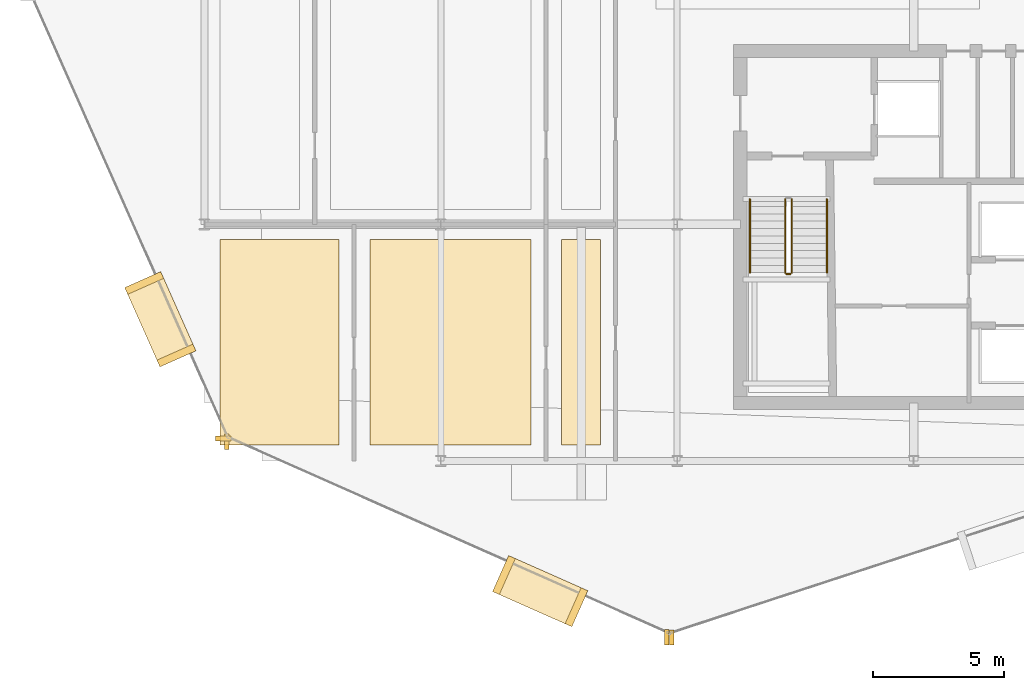
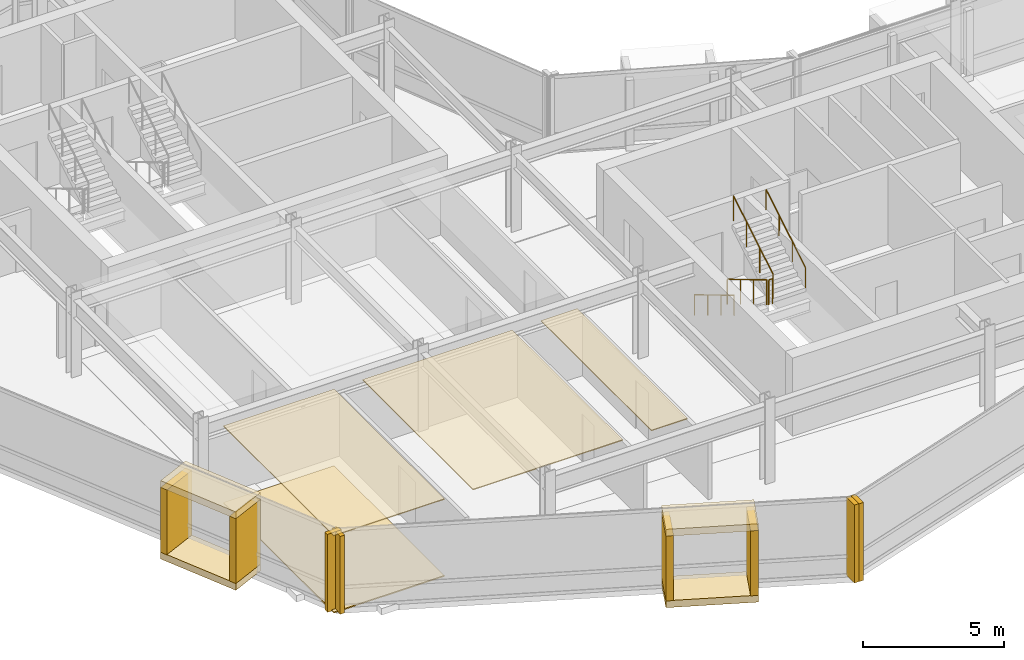
# One storey, part 22 of 27: 16 coverings, 5 railings.
"""IFC4 building model written with IfcOpenShell, lengths in metres."""

from ifc_helpers import new_model, si_unit, direction, frame, origin, origin_2d, place, context, subcontext, project, spatial, polyline, rectangle, circle, outline, extrude, material, layer, layer_set, type_object, element, save


model = new_model("IFC4")

# Units and contexts
model_context = context("Model", 3, precision=1e-05, world=origin(), true_north=direction((0.0, 1.0)))
body_context = subcontext(model_context, "Body", "Model", "MODEL_VIEW")
ifc_project = project(units=[si_unit("LENGTHUNIT", "METRE"), si_unit("AREAUNIT", "SQUARE_METRE"), si_unit("VOLUMEUNIT", "CUBIC_METRE"), si_unit("PLANEANGLEUNIT", "RADIAN"), si_unit("MASSUNIT", "GRAM", prefix="KILO")], contexts=[model_context])

# Site, building, storey
site_placement = place(None, origin())
site = spatial("IfcSite", under=ifc_project, at=site_placement, CompositionType="ELEMENT")
building_placement = place(site_placement, origin())
building = spatial("IfcBuilding", under=site, at=building_placement, Name="Solvaryn Broadcast Tower", CompositionType="ELEMENT")
storey_placement = place(building_placement, frame((0.0, 0.0, 192.699951171875)))
storey = spatial("IfcBuildingStorey", under=building, at=storey_placement, Name="L48", CompositionType="ELEMENT", Elevation=192.699951171875)

# Coverings
ifc_material_1 = material(Name="Micro-Perforated Acoustic Gypsum Ceiling", Category="concrete")
ifc_layer_1 = layer(ifc_material_1, 0.0400390625)
ifc_layer_set_1 = layer_set([ifc_layer_1], Name="CV-CEIL-ACOUSTIC")
covering_type_1 = type_object("IfcCoveringType", Name="CV-CEIL-ACOUSTIC", PredefinedType="CEILING", material=ifc_layer_set_1)
covering_1_placement = place(storey_placement, frame((0.0, 0.0, 3.330078125)))
element("IfcCovering", 1, at=covering_1_placement, inside=storey, type_object=covering_type_1, Name="L48 Room Acoustic Ceiling 4", PredefinedType="CEILING", context=body_context, shape_type="SweptSolid", body=[
    extrude(outline(polyline([(9.60009765625, 9.60009765625), (14.1298828125, 9.60009765625), (14.1298828125, 17.429931640625), (9.60009765625, 17.429931640625), (9.60009765625, 9.60009765625)])), origin(), (0.0, 0.0, 1.0), 0.0400390625),
])
covering_2_placement = place(storey_placement, frame((0.0, 0.0, 3.330078125)))
element("IfcCovering", 2, at=covering_2_placement, inside=storey, type_object=covering_type_1, Name="L48 Room Acoustic Ceiling 5", PredefinedType="CEILING", context=body_context, shape_type="SweptSolid", body=[
    extrude(outline(polyline([(15.300048828125, 9.60009765625), (21.429931640625, 9.60009765625), (21.429931640625, 17.429931640625), (15.300048828125, 17.429931640625), (15.300048828125, 9.60009765625)])), origin(), (0.0, 0.0, 1.0), 0.0400390625),
])
covering_3_placement = place(storey_placement, frame((0.0, 0.0, 3.330078125)))
element("IfcCovering", 3, at=covering_3_placement, inside=storey, type_object=covering_type_1, Name="L48 Room Acoustic Ceiling 6", PredefinedType="CEILING", context=body_context, shape_type="SweptSolid", body=[
    extrude(outline(polyline([(22.60009765625, 9.60009765625), (24.080078125, 9.60009765625), (24.080078125, 17.429931640625), (22.60009765625, 17.429931640625), (22.60009765625, 9.60009765625)])), origin(), (0.0, 0.0, 1.0), 0.0400390625),
])
ifc_material_2 = material(Name="Newsroom Raised Data Access Flooring", Category="steel")
ifc_layer_2 = layer(ifc_material_2, 0.050048828125)
ifc_layer_set_2 = layer_set([ifc_layer_2], Name="CV-FLOOR-RAISED")
covering_type_2 = type_object("IfcCoveringType", Name="CV-FLOOR-RAISED", PredefinedType="FLOORING", material=ifc_layer_set_2)
covering_4_placement = place(storey_placement, origin())
element("IfcCovering", 4, at=covering_4_placement, inside=storey, type_object=covering_type_2, Name="L48 Room Acoustic Floor Finish 4", PredefinedType="FLOORING", context=body_context, shape_type="SweptSolid", body=[
    extrude(outline(polyline([(9.60009765625, 9.60009765625), (14.1298828125, 9.60009765625), (14.1298828125, 17.429931640625), (9.60009765625, 17.429931640625), (9.60009765625, 9.60009765625)])), origin(), (0.0, 0.0, 1.0), 0.050048828125),
])
ifc_material_3 = material(Name="Glazed Architectural Terracotta Rainscreen Cladding", Category="masonry")
ifc_layer_3 = layer(ifc_material_3, 0.280029296875)
ifc_layer_set_3 = layer_set([ifc_layer_3], Name="CV-TC-CLAD")
covering_type_3 = type_object("IfcCoveringType", Name="CV-TC-CLAD", PredefinedType="CLADDING", material=ifc_layer_set_3)
for number, where, z_axis, x_axis, name in (
    (5, (7.322998046875, 14.388916015625, 3.080078125), (0.0, 0.0, 1.0), (0.405939269498, -0.913900054426, 0.0), "L48 Projecting Stone Window Box Hood 2"),
    (6, (7.322998046875, 14.388916015625, -0.009765625), (0.0, 0.0, 1.0), (0.405939269498, -0.913900054426, 0.0), "L48 Projecting Stone Window Box Sill 2"),
):
    element("IfcCovering", number, at=place(storey_placement, frame(where, z_axis=z_axis, x_axis=x_axis)), inside=storey, type_object=covering_type_3, Name=name, PredefinedType="CLADDING", context=body_context, shape_type="SweptSolid", body=[
        extrude(rectangle(XDim=3.300048828125, YDim=1.5, at=origin_2d()), origin(), (0.0, 0.0, 1.0), 0.300048828125),
    ])
for number, where, z_axis, x_axis, name in (
    (7, (6.7099609375, 15.76904296875, 0.280029296875), (0.0, 0.0, 1.0), (0.405939269498, -0.913900054426, 0.0), "L48 Projecting Stone Window Box Cheek 2-1"),
    (8, (7.93603515625, 13.009033203125, 0.280029296875), (0.0, 0.0, 1.0), (0.405939269498, -0.913900054426, 0.0), "L48 Projecting Stone Window Box Cheek 2-2"),
):
    element("IfcCovering", number, at=place(storey_placement, frame(where, z_axis=z_axis, x_axis=x_axis)), inside=storey, type_object=covering_type_3, Name=name, PredefinedType="CLADDING", context=body_context, shape_type="SweptSolid", body=[
        extrude(rectangle(XDim=0.280029296875, YDim=1.5, at=origin_2d()), origin(), (0.0, 0.0, 1.0), 2.81005859375),
    ])
for number, where, z_axis, x_axis, name in (
    (9, (21.784912109375, 4.0390625, 3.080078125), (0.0, 0.0, 1.0), (0.913900054426, -0.405939269498, 0.0), "L48 Projecting Stone Window Box Hood 3"),
    (10, (21.784912109375, 4.0390625, -0.009765625), (0.0, 0.0, 1.0), (0.913900054426, -0.405939269498, 0.0), "L48 Projecting Stone Window Box Sill 3"),
):
    element("IfcCovering", number, at=place(storey_placement, frame(where, z_axis=z_axis, x_axis=x_axis)), inside=storey, type_object=covering_type_3, Name=name, PredefinedType="CLADDING", context=body_context, shape_type="SweptSolid", body=[
        extrude(rectangle(XDim=3.300048828125, YDim=1.5, at=origin_2d()), origin(), (0.0, 0.0, 1.0), 0.300048828125),
    ])
for number, where, z_axis, x_axis, name in (
    (11, (20.405029296875, 4.652099609375, 0.280029296875), (0.0, 0.0, 1.0), (0.913900054426, -0.405939269498, 0.0), "L48 Projecting Stone Window Box Cheek 3-1"),
    (12, (23.1650390625, 3.426025390625, 0.280029296875), (0.0, 0.0, 1.0), (0.913900054426, -0.405939269498, 0.0), "L48 Projecting Stone Window Box Cheek 3-2"),
):
    element("IfcCovering", number, at=place(storey_placement, frame(where, z_axis=z_axis, x_axis=x_axis)), inside=storey, type_object=covering_type_3, Name=name, PredefinedType="CLADDING", context=body_context, shape_type="SweptSolid", body=[
        extrude(rectangle(XDim=0.280029296875, YDim=1.5, at=origin_2d()), origin(), (0.0, 0.0, 1.0), 2.81005859375),
    ])
ifc_material_4 = material(Name="Extruded Architectural Terracotta Fin", Category="masonry")
ifc_layer_4 = layer(ifc_material_4, 0.179931640625)
ifc_layer_set_4 = layer_set([ifc_layer_4], Name="CV-TC-FIN")
covering_type_4 = type_object("IfcCoveringType", Name="CV-TC-FIN", PredefinedType="USERDEFINED", material=ifc_layer_set_4)
covering_5_placement = place(storey_placement, frame((9.7216796875, 9.852783203125, 0.0), z_axis=(0.0, 0.0, 1.0), x_axis=(1.0, 0.0, 0.0)))
element("IfcCovering", 13, at=covering_5_placement, inside=storey, type_object=covering_type_4, Name="L48 Terracotta Vertical Fin FIN-L48-DR2-M01", ObjectType="FIN", PredefinedType="USERDEFINED", context=body_context, shape_type="SweptSolid", body=[
    extrude(rectangle(XDim=0.580078125, YDim=0.179931640625, at=origin_2d()), origin(), (0.0, 0.0, 1.0), 3.3701171875),
])
for number, where, z_axis, x_axis, name in (
    (14, (9.852783203125, 9.7216796875, 0.0), (0.0, 0.0, 1.0), (1.0, 0.0, 0.0), "L48 Terracotta Vertical Fin FIN-L48-DR3-M00"),
    (15, (26.605712890625, 2.281005859375, 0.0), (0.0, 0.0, 1.0), (1.0, 0.0, 0.0), "L48 Terracotta Vertical Fin FIN-L48-DR3-M01"),
    (16, (26.790771484375, 2.271240234375, 0.0), (0.0, 0.0, 1.0), (1.0, 0.0, 0.0), "L48 Terracotta Vertical Fin FIN-L48-DR4-M00"),
):
    element("IfcCovering", number, at=place(storey_placement, frame(where, z_axis=z_axis, x_axis=x_axis)), inside=storey, type_object=covering_type_4, Name=name, ObjectType="FIN", PredefinedType="USERDEFINED", context=body_context, shape_type="SweptSolid", body=[
        extrude(rectangle(XDim=0.179931640625, YDim=0.580078125, at=origin_2d()), origin(), (0.0, 0.0, 1.0), 3.3701171875),
    ])

# Railings
ifc_material_5 = material(Name="Painted Steel Stair Well Guard", Category="steel")
railing_type_1 = type_object("IfcRailingType", Name="RL-STAIR-GUARD", PredefinedType="BALUSTRADE", material=ifc_material_5)
railing_1_placement = place(storey_placement, frame((31.110107421875, 18.9599609375, 0.168212890625)))
element("IfcRailing", 17, at=railing_1_placement, inside=storey, type_object=railing_type_1, Name="L48 ST3 stair guard 1", PredefinedType="BALUSTRADE", context=body_context, shape_type="SweptSolid", body=[
    extrude(circle(Radius=0.02392578125, at=origin_2d()), frame((0.0, 0.0, 1.076171875), z_axis=(0.0, -0.857242210791, 0.514913383045), x_axis=(1.0, 0.0, 0.0)), (0.0, 0.0, 1.0), 3.266357421875),
    extrude(circle(Radius=0.02099609375, at=origin_2d()), origin(), (0.0, 0.0, 1.0), 1.052001953125),
    extrude(circle(Radius=0.02099609375, at=origin_2d()), frame((0.0, -0.933349609375, 0.560546875)), (0.0, 0.0, 1.0), 1.052001953125),
    extrude(circle(Radius=0.02099609375, at=origin_2d()), frame((0.0, -1.86669921875, 1.121337890625)), (0.0, 0.0, 1.0), 1.052001953125),
    extrude(circle(Radius=0.02099609375, at=origin_2d()), frame((0.0, -2.800048828125, 1.681884765625)), (0.0, 0.0, 1.0), 1.052001953125),
])
railing_2_placement = place(storey_placement, frame((31.159912109375, 16.110107421875, 1.85009765625)))
element("IfcRailing", 18, at=railing_2_placement, inside=storey, type_object=railing_type_1, Name="L48 ST3 stair guard 2", PredefinedType="BALUSTRADE", context=body_context, shape_type="SweptSolid", body=[
    extrude(circle(Radius=0.02392578125, at=origin_2d()), frame((0.0, 0.0, 1.076171875), z_axis=(1.0, 0.0, 0.0), x_axis=(0.0, 1.0, 0.0)), (0.0, 0.0, 1.0), 0.150146484375),
    extrude(circle(Radius=0.02099609375, at=origin_2d()), origin(), (0.0, 0.0, 1.0), 1.052001953125),
    extrude(circle(Radius=0.02099609375, at=origin_2d()), frame((0.150146484375, 0.0, 0.0)), (0.0, 0.0, 1.0), 1.052001953125),
])
railing_3_placement = place(storey_placement, frame((31.360107421875, 16.159912109375, 2.018310546875)))
element("IfcRailing", 19, at=railing_3_placement, inside=storey, type_object=railing_type_1, Name="L48 ST3 stair guard 3", PredefinedType="BALUSTRADE", context=body_context, shape_type="SweptSolid", body=[
    extrude(circle(Radius=0.02392578125, at=origin_2d()), frame((0.0, 0.0, 1.076171875), z_axis=(0.0, 0.857275202839, 0.514858452973), x_axis=(-1.0, 0.0, 0.0)), (0.0, 0.0, 1.0), 3.26611328125),
    extrude(circle(Radius=0.02099609375, at=origin_2d()), origin(), (0.0, 0.0, 1.0), 1.052001953125),
    extrude(circle(Radius=0.02099609375, at=origin_2d()), frame((0.0, 0.933349609375, 0.560546875)), (0.0, 0.0, 1.0), 1.052001953125),
    extrude(circle(Radius=0.02099609375, at=origin_2d()), frame((0.0, 1.86669921875, 1.12109375)), (0.0, 0.0, 1.0), 1.052001953125),
    extrude(circle(Radius=0.02099609375, at=origin_2d()), frame((0.0, 2.800048828125, 1.681640625)), (0.0, 0.0, 1.0), 1.052001953125),
])
ifc_material_6 = material(Name="Brushed Stainless Steel Tubular Handrail", Category="steel")
railing_type_2 = type_object("IfcRailingType", Name="RL-STAIR-HANDRAIL", PredefinedType="HANDRAIL", material=ifc_material_6)
railing_4_placement = place(storey_placement, frame((29.77001953125, 18.9599609375, 0.168212890625)))
element("IfcRailing", 20, at=railing_4_placement, inside=storey, type_object=railing_type_2, Name="L48 ST3 stair handrail 1", PredefinedType="HANDRAIL", context=body_context, shape_type="SweptSolid", body=[
    extrude(circle(Radius=0.02392578125, at=origin_2d()), frame((0.0, 0.0, 0.8759765625), z_axis=(0.0, -0.857242210791, 0.514913383045), x_axis=(1.0, 0.0, 0.0)), (0.0, 0.0, 1.0), 3.266357421875),
    extrude(circle(Radius=0.02099609375, at=origin_2d()), origin(), (0.0, 0.0, 1.0), 0.851806640625),
    extrude(circle(Radius=0.02099609375, at=origin_2d()), frame((0.0, -0.933349609375, 0.560546875)), (0.0, 0.0, 1.0), 0.851806640625),
    extrude(circle(Radius=0.02099609375, at=origin_2d()), frame((0.0, -1.86669921875, 1.121337890625)), (0.0, 0.0, 1.0), 0.851806640625),
    extrude(circle(Radius=0.02099609375, at=origin_2d()), frame((0.0, -2.800048828125, 1.681884765625)), (0.0, 0.0, 1.0), 0.851806640625),
])
railing_5_placement = place(storey_placement, frame((32.699951171875, 16.159912109375, 2.018310546875)))
element("IfcRailing", 21, at=railing_5_placement, inside=storey, type_object=railing_type_2, Name="L48 ST3 stair handrail 2", PredefinedType="HANDRAIL", context=body_context, shape_type="SweptSolid", body=[
    extrude(circle(Radius=0.02392578125, at=origin_2d()), frame((0.0, 0.0, 0.8759765625), z_axis=(0.0, 0.857275202839, 0.514858452973), x_axis=(-1.0, 0.0, 0.0)), (0.0, 0.0, 1.0), 3.26611328125),
    extrude(circle(Radius=0.02099609375, at=origin_2d()), origin(), (0.0, 0.0, 1.0), 0.851806640625),
    extrude(circle(Radius=0.02099609375, at=origin_2d()), frame((0.0, 0.933349609375, 0.560546875)), (0.0, 0.0, 1.0), 0.851806640625),
    extrude(circle(Radius=0.02099609375, at=origin_2d()), frame((0.0, 1.86669921875, 1.12109375)), (0.0, 0.0, 1.0), 0.851806640625),
    extrude(circle(Radius=0.02099609375, at=origin_2d()), frame((0.0, 2.800048828125, 1.681640625)), (0.0, 0.0, 1.0), 0.851806640625),
])

save(model, "model.ifc")
